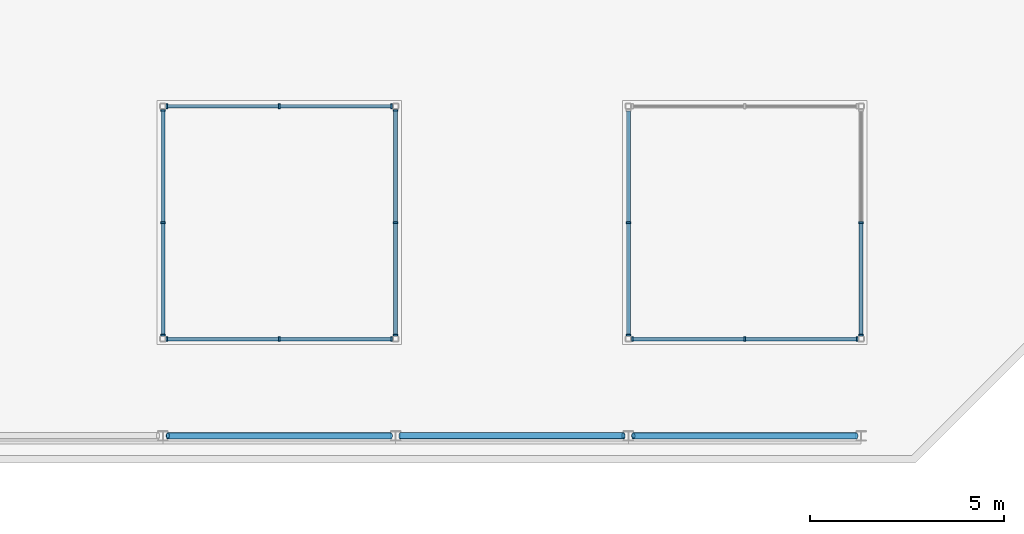
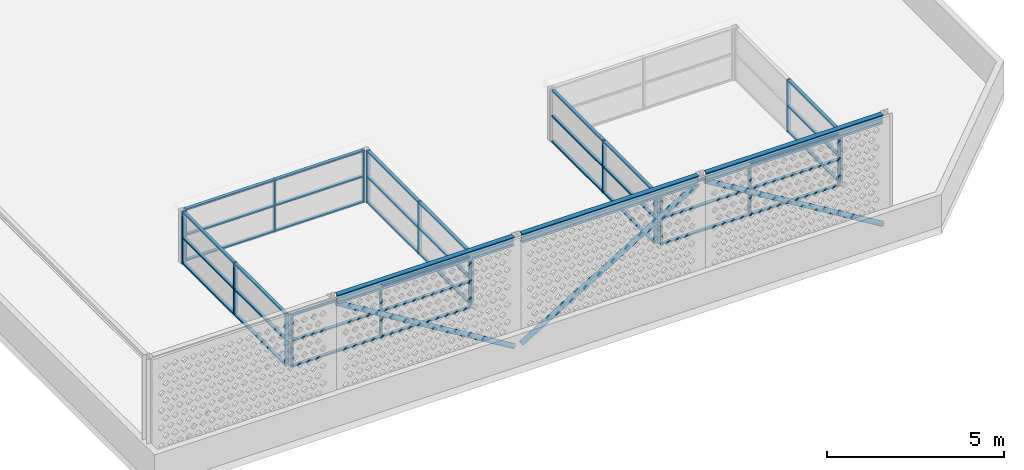
# One storey, part 5 of 18: 61 members, 3 beams, 7 elements without a shape of their own.
"""IFC4 building model written with IfcOpenShell, lengths in metres."""

from ifc_helpers import new_model, si_unit, direction, frame, origin, origin_2d, place, context, subcontext, project, spatial, rectangle, hollow_circle, i_section, extrude, source, transform, mapped, material, layer, layer_set, material_profile, profile_set, type_object, element, aggregate, save


model = new_model("IFC4")

# Units and contexts
model_context = context("Model", 3, precision=1e-05, world=origin(), true_north=direction((0.0, 1.0)))
body_context = subcontext(model_context, "Body", "Model", "MODEL_VIEW")
ifc_project = project(units=[si_unit("LENGTHUNIT", "METRE"), si_unit("AREAUNIT", "SQUARE_METRE"), si_unit("VOLUMEUNIT", "CUBIC_METRE"), si_unit("PLANEANGLEUNIT", "RADIAN"), si_unit("MASSUNIT", "GRAM", prefix="KILO")], contexts=[model_context])

# Site, building, storey
site_placement = place(None, origin())
site = spatial("IfcSite", under=ifc_project, at=site_placement, CompositionType="ELEMENT")
building_placement = place(site_placement, origin())
building = spatial("IfcBuilding", under=site, at=building_placement, Name="Poui Terraces", CompositionType="ELEMENT")
storey_placement = place(building_placement, frame((0.0, 0.0, 285.60009765625)))
storey = spatial("IfcBuildingStorey", under=building, at=storey_placement, Name="L79 CROWN", CompositionType="ELEMENT", Elevation=285.60009765625)

# Curtain wall, members
ifc_material_1 = material(Name="Clear glass", Category="glass")
ifc_layer = layer(ifc_material_1, 0.1201171875)
ifc_layer_set = layer_set([ifc_layer], Name="Clear glass")
curtain_wall_type = type_object("IfcCurtainWallType", Name="CURTAIN WALL CW-F LANTERN GLAZING", PredefinedType="NOTDEFINED", material=ifc_layer_set)
curtain_wall_1_placement = place(storey_placement, origin())
curtain_wall_1 = element("IfcCurtainWall", 1, at=curtain_wall_1_placement, inside=storey, type_object=curtain_wall_type, Name="CW-F LANTERN GLAZING", PredefinedType="NOTDEFINED")
ifc_material_2 = material(Name="Aluminium frame", Category="aluminium")
ifc_material_profile_1 = material_profile(ifc_material_2, rectangle(XDim=0.1201171875, YDim=0.050048828125, at=origin_2d()), Name="CW-F MULLION 50X120")
ifc_profile_set_1 = profile_set([ifc_material_profile_1], Name="Aluminium frame")
member_type_1 = type_object("IfcMemberType", Name="CW-F MULLION 50X120", PredefinedType="MULLION", material=ifc_profile_set_1)
member_1_placement = place(storey_placement, frame((60.10009765625, 3.0, 0.0), z_axis=(0.0, 0.0, 1.0), x_axis=(0.0, 1.0, 0.0)))
member_1 = element("IfcMember", 2, at=member_1_placement, type_object=member_type_1, Name="CW-F mullion 1", PredefinedType="MULLION", context=body_context, shape_type="SweptSolid", body=[
    extrude(rectangle(XDim=0.1201171875, YDim=0.050048828125, at=origin_2d()), origin(), (0.0, 0.0, 1.0), 1.7998046875),
])
member_2_placement = place(storey_placement, frame((63.0, 3.0, 0.0), z_axis=(0.0, 0.0, 1.0), x_axis=(0.0, 1.0, 0.0)))
member_2 = element("IfcMember", 3, at=member_2_placement, type_object=member_type_1, Name="CW-F mullion 2", PredefinedType="MULLION", context=body_context, shape_type="SweptSolid", body=[
    extrude(rectangle(XDim=0.1201171875, YDim=0.050048828125, at=origin_2d()), origin(), (0.0, 0.0, 1.0), 1.7998046875),
])
member_3_placement = place(storey_placement, frame((65.89990234375, 3.0, 0.0), z_axis=(0.0, 0.0, 1.0), x_axis=(0.0, 1.0, 0.0)))
member_3 = element("IfcMember", 4, at=member_3_placement, type_object=member_type_1, Name="CW-F mullion 3", PredefinedType="MULLION", context=body_context, shape_type="SweptSolid", body=[
    extrude(rectangle(XDim=0.1201171875, YDim=0.050048828125, at=origin_2d()), origin(), (0.0, 0.0, 1.0), 1.7998046875),
])

curtain_wall_2_placement = place(storey_placement, origin())
curtain_wall_2 = element("IfcCurtainWall", 5, at=curtain_wall_2_placement, inside=storey, type_object=curtain_wall_type, Name="CW-F LANTERN GLAZING", PredefinedType="NOTDEFINED")
member_4_placement = place(storey_placement, frame((65.89990234375, 9.0, 0.0), z_axis=(0.0, 0.0, 1.0), x_axis=(0.0, -1.0, 0.0)))
member_4 = element("IfcMember", 6, at=member_4_placement, type_object=member_type_1, Name="CW-F mullion 1", PredefinedType="MULLION", context=body_context, shape_type="SweptSolid", body=[
    extrude(rectangle(XDim=0.1201171875, YDim=0.050048828125, at=origin_2d()), origin(), (0.0, 0.0, 1.0), 1.7998046875),
])
member_5_placement = place(storey_placement, frame((63.0, 9.0, 0.0), z_axis=(0.0, 0.0, 1.0), x_axis=(0.0, -1.0, 0.0)))
member_5 = element("IfcMember", 7, at=member_5_placement, type_object=member_type_1, Name="CW-F mullion 2", PredefinedType="MULLION", context=body_context, shape_type="SweptSolid", body=[
    extrude(rectangle(XDim=0.1201171875, YDim=0.050048828125, at=origin_2d()), origin(), (0.0, 0.0, 1.0), 1.7998046875),
])
member_6_placement = place(storey_placement, frame((60.10009765625, 9.0, 0.0), z_axis=(0.0, 0.0, 1.0), x_axis=(0.0, -1.0, 0.0)))
member_6 = element("IfcMember", 8, at=member_6_placement, type_object=member_type_1, Name="CW-F mullion 3", PredefinedType="MULLION", context=body_context, shape_type="SweptSolid", body=[
    extrude(rectangle(XDim=0.1201171875, YDim=0.050048828125, at=origin_2d()), origin(), (0.0, 0.0, 1.0), 1.7998046875),
])

curtain_wall_3_placement = place(storey_placement, origin())
curtain_wall_3 = element("IfcCurtainWall", 9, at=curtain_wall_3_placement, inside=storey, type_object=curtain_wall_type, Name="CW-F LANTERN GLAZING", PredefinedType="NOTDEFINED")
member_7_placement = place(storey_placement, frame((66.0, 3.10009765625, 0.0), z_axis=(0.0, 0.0, 1.0), x_axis=(-1.0, 0.0, 0.0)))
member_7 = element("IfcMember", 10, at=member_7_placement, type_object=member_type_1, Name="CW-F mullion 1", PredefinedType="MULLION", context=body_context, shape_type="SweptSolid", body=[
    extrude(rectangle(XDim=0.1201171875, YDim=0.050048828125, at=origin_2d()), origin(), (0.0, 0.0, 1.0), 1.7998046875),
])
member_8_placement = place(storey_placement, frame((66.0, 6.0, 0.0), z_axis=(0.0, 0.0, 1.0), x_axis=(-1.0, 0.0, 0.0)))
member_8 = element("IfcMember", 11, at=member_8_placement, type_object=member_type_1, Name="CW-F mullion 2", PredefinedType="MULLION", context=body_context, shape_type="SweptSolid", body=[
    extrude(rectangle(XDim=0.1201171875, YDim=0.050048828125, at=origin_2d()), origin(), (0.0, 0.0, 1.0), 1.7998046875),
])
member_9_placement = place(storey_placement, frame((66.0, 8.89990234375, 0.0), z_axis=(0.0, 0.0, 1.0), x_axis=(-1.0, 0.0, 0.0)))
member_9 = element("IfcMember", 12, at=member_9_placement, type_object=member_type_1, Name="CW-F mullion 3", PredefinedType="MULLION", context=body_context, shape_type="SweptSolid", body=[
    extrude(rectangle(XDim=0.1201171875, YDim=0.050048828125, at=origin_2d()), origin(), (0.0, 0.0, 1.0), 1.7998046875),
])

curtain_wall_4_placement = place(storey_placement, origin())
curtain_wall_4 = element("IfcCurtainWall", 13, at=curtain_wall_4_placement, inside=storey, type_object=curtain_wall_type, Name="CW-F LANTERN GLAZING", PredefinedType="NOTDEFINED")
member_10_placement = place(storey_placement, frame((60.0, 8.89990234375, 0.0), z_axis=(0.0, 0.0, 1.0), x_axis=(1.0, 0.0, 0.0)))
member_10 = element("IfcMember", 14, at=member_10_placement, type_object=member_type_1, Name="CW-F mullion 1", PredefinedType="MULLION", context=body_context, shape_type="SweptSolid", body=[
    extrude(rectangle(XDim=0.1201171875, YDim=0.050048828125, at=origin_2d()), origin(), (0.0, 0.0, 1.0), 1.7998046875),
])
member_11_placement = place(storey_placement, frame((60.0, 6.0, 0.0), z_axis=(0.0, 0.0, 1.0), x_axis=(1.0, 0.0, 0.0)))
member_11 = element("IfcMember", 15, at=member_11_placement, type_object=member_type_1, Name="CW-F mullion 2", PredefinedType="MULLION", context=body_context, shape_type="SweptSolid", body=[
    extrude(rectangle(XDim=0.1201171875, YDim=0.050048828125, at=origin_2d()), origin(), (0.0, 0.0, 1.0), 1.7998046875),
])
member_12_placement = place(storey_placement, frame((60.0, 3.10009765625, 0.0), z_axis=(0.0, 0.0, 1.0), x_axis=(1.0, 0.0, 0.0)))
member_12 = element("IfcMember", 16, at=member_12_placement, type_object=member_type_1, Name="CW-F mullion 3", PredefinedType="MULLION", context=body_context, shape_type="SweptSolid", body=[
    extrude(rectangle(XDim=0.1201171875, YDim=0.050048828125, at=origin_2d()), origin(), (0.0, 0.0, 1.0), 1.7998046875),
])

curtain_wall_5_placement = place(storey_placement, origin())
curtain_wall_5 = element("IfcCurtainWall", 17, at=curtain_wall_5_placement, inside=storey, type_object=curtain_wall_type, Name="CW-F LANTERN GLAZING", PredefinedType="NOTDEFINED")
member_13_placement = place(storey_placement, frame((72.10009765625, 3.0, 0.0), z_axis=(0.0, 0.0, 1.0), x_axis=(0.0, 1.0, 0.0)))
member_13 = element("IfcMember", 18, at=member_13_placement, type_object=member_type_1, Name="CW-F mullion 1", PredefinedType="MULLION", context=body_context, shape_type="SweptSolid", body=[
    extrude(rectangle(XDim=0.1201171875, YDim=0.050048828125, at=origin_2d()), origin(), (0.0, 0.0, 1.0), 1.7998046875),
])
member_14_placement = place(storey_placement, frame((75.0, 3.0, 0.0), z_axis=(0.0, 0.0, 1.0), x_axis=(0.0, 1.0, 0.0)))
member_14 = element("IfcMember", 19, at=member_14_placement, type_object=member_type_1, Name="CW-F mullion 2", PredefinedType="MULLION", context=body_context, shape_type="SweptSolid", body=[
    extrude(rectangle(XDim=0.1201171875, YDim=0.050048828125, at=origin_2d()), origin(), (0.0, 0.0, 1.0), 1.7998046875),
])
member_15_placement = place(storey_placement, frame((77.89990234375, 3.0, 0.0), z_axis=(0.0, 0.0, 1.0), x_axis=(0.0, 1.0, 0.0)))
member_15 = element("IfcMember", 20, at=member_15_placement, type_object=member_type_1, Name="CW-F mullion 3", PredefinedType="MULLION", context=body_context, shape_type="SweptSolid", body=[
    extrude(rectangle(XDim=0.1201171875, YDim=0.050048828125, at=origin_2d()), origin(), (0.0, 0.0, 1.0), 1.7998046875),
])

curtain_wall_6_placement = place(storey_placement, origin())
curtain_wall_6 = element("IfcCurtainWall", 21, at=curtain_wall_6_placement, inside=storey, type_object=curtain_wall_type, Name="CW-F LANTERN GLAZING", PredefinedType="NOTDEFINED")
member_16_placement = place(storey_placement, frame((78.0, 3.10009765625, 0.0), z_axis=(0.0, 0.0, 1.0), x_axis=(-1.0, 0.0, 0.0)))
member_16 = element("IfcMember", 22, at=member_16_placement, type_object=member_type_1, Name="CW-F mullion 1", PredefinedType="MULLION", context=body_context, shape_type="SweptSolid", body=[
    extrude(rectangle(XDim=0.1201171875, YDim=0.050048828125, at=origin_2d()), origin(), (0.0, 0.0, 1.0), 1.7998046875),
])
member_17_placement = place(storey_placement, frame((78.0, 6.0, 0.0), z_axis=(0.0, 0.0, 1.0), x_axis=(-1.0, 0.0, 0.0)))
member_17 = element("IfcMember", 23, at=member_17_placement, type_object=member_type_1, Name="CW-F mullion 2", PredefinedType="MULLION", context=body_context, shape_type="SweptSolid", body=[
    extrude(rectangle(XDim=0.1201171875, YDim=0.050048828125, at=origin_2d()), origin(), (0.0, 0.0, 1.0), 1.7998046875),
])

curtain_wall_7_placement = place(storey_placement, origin())
curtain_wall_7 = element("IfcCurtainWall", 24, at=curtain_wall_7_placement, inside=storey, type_object=curtain_wall_type, Name="CW-F LANTERN GLAZING", PredefinedType="NOTDEFINED")
member_18_placement = place(storey_placement, frame((72.0, 6.0, 0.0), z_axis=(0.0, 0.0, 1.0), x_axis=(1.0, 0.0, 0.0)))
member_18 = element("IfcMember", 25, at=member_18_placement, type_object=member_type_1, Name="CW-F mullion 2", PredefinedType="MULLION", context=body_context, shape_type="SweptSolid", body=[
    extrude(rectangle(XDim=0.1201171875, YDim=0.050048828125, at=origin_2d()), origin(), (0.0, 0.0, 1.0), 1.7998046875),
])
member_19_placement = place(storey_placement, frame((72.0, 3.10009765625, 0.0), z_axis=(0.0, 0.0, 1.0), x_axis=(1.0, 0.0, 0.0)))
member_19 = element("IfcMember", 26, at=member_19_placement, type_object=member_type_1, Name="CW-F mullion 3", PredefinedType="MULLION", context=body_context, shape_type="SweptSolid", body=[
    extrude(rectangle(XDim=0.1201171875, YDim=0.050048828125, at=origin_2d()), origin(), (0.0, 0.0, 1.0), 1.7998046875),
])

# Member
ifc_material_profile_2 = material_profile(ifc_material_2, rectangle(XDim=0.10009765625, YDim=0.050048828125, at=origin_2d()), Name="CW-F TRANSOM 50X100")
ifc_profile_set_2 = profile_set([ifc_material_profile_2], Name="Aluminium frame")
member_type_2 = type_object("IfcMemberType", Name="CW-F TRANSOM 50X100", PredefinedType="USERDEFINED", material=ifc_profile_set_2)
member_20_placement = place(storey_placement, frame((60.125, 3.0, 0.02490234375), z_axis=(1.0, 0.0, 0.0), x_axis=(0.0, 1.0, 0.0)))
member_20 = element("IfcMember", 27, at=member_20_placement, type_object=member_type_2, Name="CW-F transom 1.1", ObjectType="TRANSOM", PredefinedType="USERDEFINED", context=body_context, shape_type="SweptSolid", body=[
    extrude(rectangle(XDim=0.10009765625, YDim=0.050048828125, at=origin_2d()), origin(), (0.0, 0.0, 1.0), 2.85009765625),
])

member_21_placement = place(storey_placement, frame((60.125, 3.0, 0.89990234375), z_axis=(1.0, 0.0, 0.0), x_axis=(0.0, 1.0, 0.0)))
member_21 = element("IfcMember", 28, at=member_21_placement, type_object=member_type_2, Name="CW-F transom 1.2", ObjectType="TRANSOM", PredefinedType="USERDEFINED", context=body_context, shape_type="SweptSolid", body=[
    extrude(rectangle(XDim=0.10009765625, YDim=0.050048828125, at=origin_2d()), origin(), (0.0, 0.0, 1.0), 2.85009765625),
])

member_22_placement = place(storey_placement, frame((60.125, 3.0, 1.77490234375), z_axis=(1.0, 0.0, 0.0), x_axis=(0.0, 1.0, 0.0)))
member_22 = element("IfcMember", 29, at=member_22_placement, type_object=member_type_2, Name="CW-F transom 1.3", ObjectType="TRANSOM", PredefinedType="USERDEFINED", context=body_context, shape_type="SweptSolid", body=[
    extrude(rectangle(XDim=0.10009765625, YDim=0.050048828125, at=origin_2d()), origin(), (0.0, 0.0, 1.0), 2.85009765625),
])

member_23_placement = place(storey_placement, frame((63.02490234375, 3.0, 0.02490234375), z_axis=(1.0, 0.0, 0.0), x_axis=(0.0, 1.0, 0.0)))
member_23 = element("IfcMember", 30, at=member_23_placement, type_object=member_type_2, Name="CW-F transom 2.1", ObjectType="TRANSOM", PredefinedType="USERDEFINED", context=body_context, shape_type="SweptSolid", body=[
    extrude(rectangle(XDim=0.10009765625, YDim=0.050048828125, at=origin_2d()), origin(), (0.0, 0.0, 1.0), 2.85009765625),
])

member_24_placement = place(storey_placement, frame((63.02490234375, 3.0, 0.89990234375), z_axis=(1.0, 0.0, 0.0), x_axis=(0.0, 1.0, 0.0)))
member_24 = element("IfcMember", 31, at=member_24_placement, type_object=member_type_2, Name="CW-F transom 2.2", ObjectType="TRANSOM", PredefinedType="USERDEFINED", context=body_context, shape_type="SweptSolid", body=[
    extrude(rectangle(XDim=0.10009765625, YDim=0.050048828125, at=origin_2d()), origin(), (0.0, 0.0, 1.0), 2.85009765625),
])

member_25_placement = place(storey_placement, frame((63.02490234375, 3.0, 1.77490234375), z_axis=(1.0, 0.0, 0.0), x_axis=(0.0, 1.0, 0.0)))
member_25 = element("IfcMember", 32, at=member_25_placement, type_object=member_type_2, Name="CW-F transom 2.3", ObjectType="TRANSOM", PredefinedType="USERDEFINED", context=body_context, shape_type="SweptSolid", body=[
    extrude(rectangle(XDim=0.10009765625, YDim=0.050048828125, at=origin_2d()), origin(), (0.0, 0.0, 1.0), 2.85009765625),
])

aggregate(curtain_wall_1, [member_1, member_2, member_3, member_20, member_21, member_22, member_23, member_24, member_25])

member_26_placement = place(storey_placement, frame((65.875, 9.0, 0.02490234375), z_axis=(-1.0, 0.0, 0.0), x_axis=(0.0, -1.0, 0.0)))
member_26 = element("IfcMember", 33, at=member_26_placement, type_object=member_type_2, Name="CW-F transom 1.1", ObjectType="TRANSOM", PredefinedType="USERDEFINED", context=body_context, shape_type="SweptSolid", body=[
    extrude(rectangle(XDim=0.10009765625, YDim=0.050048828125, at=origin_2d()), origin(), (0.0, 0.0, 1.0), 2.85009765625),
])

member_27_placement = place(storey_placement, frame((65.875, 9.0, 0.89990234375), z_axis=(-1.0, 0.0, 0.0), x_axis=(0.0, -1.0, 0.0)))
member_27 = element("IfcMember", 34, at=member_27_placement, type_object=member_type_2, Name="CW-F transom 1.2", ObjectType="TRANSOM", PredefinedType="USERDEFINED", context=body_context, shape_type="SweptSolid", body=[
    extrude(rectangle(XDim=0.10009765625, YDim=0.050048828125, at=origin_2d()), origin(), (0.0, 0.0, 1.0), 2.85009765625),
])

member_28_placement = place(storey_placement, frame((65.875, 9.0, 1.77490234375), z_axis=(-1.0, 0.0, 0.0), x_axis=(0.0, -1.0, 0.0)))
member_28 = element("IfcMember", 35, at=member_28_placement, type_object=member_type_2, Name="CW-F transom 1.3", ObjectType="TRANSOM", PredefinedType="USERDEFINED", context=body_context, shape_type="SweptSolid", body=[
    extrude(rectangle(XDim=0.10009765625, YDim=0.050048828125, at=origin_2d()), origin(), (0.0, 0.0, 1.0), 2.85009765625),
])

member_29_placement = place(storey_placement, frame((62.97509765625, 9.0, 0.02490234375), z_axis=(-1.0, 0.0, 0.0), x_axis=(0.0, -1.0, 0.0)))
member_29 = element("IfcMember", 36, at=member_29_placement, type_object=member_type_2, Name="CW-F transom 2.1", ObjectType="TRANSOM", PredefinedType="USERDEFINED", context=body_context, shape_type="SweptSolid", body=[
    extrude(rectangle(XDim=0.10009765625, YDim=0.050048828125, at=origin_2d()), origin(), (0.0, 0.0, 1.0), 2.85009765625),
])

member_30_placement = place(storey_placement, frame((62.97509765625, 9.0, 0.89990234375), z_axis=(-1.0, 0.0, 0.0), x_axis=(0.0, -1.0, 0.0)))
member_30 = element("IfcMember", 37, at=member_30_placement, type_object=member_type_2, Name="CW-F transom 2.2", ObjectType="TRANSOM", PredefinedType="USERDEFINED", context=body_context, shape_type="SweptSolid", body=[
    extrude(rectangle(XDim=0.10009765625, YDim=0.050048828125, at=origin_2d()), origin(), (0.0, 0.0, 1.0), 2.85009765625),
])

member_31_placement = place(storey_placement, frame((62.97509765625, 9.0, 1.77490234375), z_axis=(-1.0, 0.0, 0.0), x_axis=(0.0, -1.0, 0.0)))
member_31 = element("IfcMember", 38, at=member_31_placement, type_object=member_type_2, Name="CW-F transom 2.3", ObjectType="TRANSOM", PredefinedType="USERDEFINED", context=body_context, shape_type="SweptSolid", body=[
    extrude(rectangle(XDim=0.10009765625, YDim=0.050048828125, at=origin_2d()), origin(), (0.0, 0.0, 1.0), 2.85009765625),
])

aggregate(curtain_wall_2, [member_4, member_5, member_6, member_26, member_27, member_28, member_29, member_30, member_31])

member_32_placement = place(storey_placement, frame((66.0, 3.125, 0.02490234375), z_axis=(0.0, 1.0, 0.0), x_axis=(-1.0, 0.0, 0.0)))
member_32 = element("IfcMember", 39, at=member_32_placement, type_object=member_type_2, Name="CW-F transom 1.1", ObjectType="TRANSOM", PredefinedType="USERDEFINED", context=body_context, shape_type="SweptSolid", body=[
    extrude(rectangle(XDim=0.10009765625, YDim=0.050048828125, at=origin_2d()), origin(), (0.0, 0.0, 1.0), 2.85009765625),
])

member_33_placement = place(storey_placement, frame((66.0, 3.125, 0.89990234375), z_axis=(0.0, 1.0, 0.0), x_axis=(-1.0, 0.0, 0.0)))
member_33 = element("IfcMember", 40, at=member_33_placement, type_object=member_type_2, Name="CW-F transom 1.2", ObjectType="TRANSOM", PredefinedType="USERDEFINED", context=body_context, shape_type="SweptSolid", body=[
    extrude(rectangle(XDim=0.10009765625, YDim=0.050048828125, at=origin_2d()), origin(), (0.0, 0.0, 1.0), 2.85009765625),
])

member_34_placement = place(storey_placement, frame((66.0, 3.125, 1.77490234375), z_axis=(0.0, 1.0, 0.0), x_axis=(-1.0, 0.0, 0.0)))
member_34 = element("IfcMember", 41, at=member_34_placement, type_object=member_type_2, Name="CW-F transom 1.3", ObjectType="TRANSOM", PredefinedType="USERDEFINED", context=body_context, shape_type="SweptSolid", body=[
    extrude(rectangle(XDim=0.10009765625, YDim=0.050048828125, at=origin_2d()), origin(), (0.0, 0.0, 1.0), 2.85009765625),
])

member_35_placement = place(storey_placement, frame((66.0, 6.02490234375, 0.02490234375), z_axis=(0.0, 1.0, 0.0), x_axis=(-1.0, 0.0, 0.0)))
member_35 = element("IfcMember", 42, at=member_35_placement, type_object=member_type_2, Name="CW-F transom 2.1", ObjectType="TRANSOM", PredefinedType="USERDEFINED", context=body_context, shape_type="SweptSolid", body=[
    extrude(rectangle(XDim=0.10009765625, YDim=0.050048828125, at=origin_2d()), origin(), (0.0, 0.0, 1.0), 2.85009765625),
])

member_36_placement = place(storey_placement, frame((66.0, 6.02490234375, 0.89990234375), z_axis=(0.0, 1.0, 0.0), x_axis=(-1.0, 0.0, 0.0)))
member_36 = element("IfcMember", 43, at=member_36_placement, type_object=member_type_2, Name="CW-F transom 2.2", ObjectType="TRANSOM", PredefinedType="USERDEFINED", context=body_context, shape_type="SweptSolid", body=[
    extrude(rectangle(XDim=0.10009765625, YDim=0.050048828125, at=origin_2d()), origin(), (0.0, 0.0, 1.0), 2.85009765625),
])

member_37_placement = place(storey_placement, frame((66.0, 6.02490234375, 1.77490234375), z_axis=(0.0, 1.0, 0.0), x_axis=(-1.0, 0.0, 0.0)))
member_37 = element("IfcMember", 44, at=member_37_placement, type_object=member_type_2, Name="CW-F transom 2.3", ObjectType="TRANSOM", PredefinedType="USERDEFINED", context=body_context, shape_type="SweptSolid", body=[
    extrude(rectangle(XDim=0.10009765625, YDim=0.050048828125, at=origin_2d()), origin(), (0.0, 0.0, 1.0), 2.85009765625),
])

aggregate(curtain_wall_3, [member_7, member_8, member_9, member_32, member_33, member_34, member_35, member_36, member_37])

member_38_placement = place(storey_placement, frame((60.0, 8.875, 0.02490234375), z_axis=(0.0, -1.0, 0.0), x_axis=(1.0, 0.0, 0.0)))
member_38 = element("IfcMember", 45, at=member_38_placement, type_object=member_type_2, Name="CW-F transom 1.1", ObjectType="TRANSOM", PredefinedType="USERDEFINED", context=body_context, shape_type="SweptSolid", body=[
    extrude(rectangle(XDim=0.10009765625, YDim=0.050048828125, at=origin_2d()), origin(), (0.0, 0.0, 1.0), 2.85009765625),
])

member_39_placement = place(storey_placement, frame((60.0, 8.875, 0.89990234375), z_axis=(0.0, -1.0, 0.0), x_axis=(1.0, 0.0, 0.0)))
member_39 = element("IfcMember", 46, at=member_39_placement, type_object=member_type_2, Name="CW-F transom 1.2", ObjectType="TRANSOM", PredefinedType="USERDEFINED", context=body_context, shape_type="SweptSolid", body=[
    extrude(rectangle(XDim=0.10009765625, YDim=0.050048828125, at=origin_2d()), origin(), (0.0, 0.0, 1.0), 2.85009765625),
])

member_40_placement = place(storey_placement, frame((60.0, 8.875, 1.77490234375), z_axis=(0.0, -1.0, 0.0), x_axis=(1.0, 0.0, 0.0)))
member_40 = element("IfcMember", 47, at=member_40_placement, type_object=member_type_2, Name="CW-F transom 1.3", ObjectType="TRANSOM", PredefinedType="USERDEFINED", context=body_context, shape_type="SweptSolid", body=[
    extrude(rectangle(XDim=0.10009765625, YDim=0.050048828125, at=origin_2d()), origin(), (0.0, 0.0, 1.0), 2.85009765625),
])

member_41_placement = place(storey_placement, frame((60.0, 5.97509765625, 0.02490234375), z_axis=(0.0, -1.0, 0.0), x_axis=(1.0, 0.0, 0.0)))
member_41 = element("IfcMember", 48, at=member_41_placement, type_object=member_type_2, Name="CW-F transom 2.1", ObjectType="TRANSOM", PredefinedType="USERDEFINED", context=body_context, shape_type="SweptSolid", body=[
    extrude(rectangle(XDim=0.10009765625, YDim=0.050048828125, at=origin_2d()), origin(), (0.0, 0.0, 1.0), 2.85009765625),
])

member_42_placement = place(storey_placement, frame((60.0, 5.97509765625, 0.89990234375), z_axis=(0.0, -1.0, 0.0), x_axis=(1.0, 0.0, 0.0)))
member_42 = element("IfcMember", 49, at=member_42_placement, type_object=member_type_2, Name="CW-F transom 2.2", ObjectType="TRANSOM", PredefinedType="USERDEFINED", context=body_context, shape_type="SweptSolid", body=[
    extrude(rectangle(XDim=0.10009765625, YDim=0.050048828125, at=origin_2d()), origin(), (0.0, 0.0, 1.0), 2.85009765625),
])

member_43_placement = place(storey_placement, frame((60.0, 5.97509765625, 1.77490234375), z_axis=(0.0, -1.0, 0.0), x_axis=(1.0, 0.0, 0.0)))
member_43 = element("IfcMember", 50, at=member_43_placement, type_object=member_type_2, Name="CW-F transom 2.3", ObjectType="TRANSOM", PredefinedType="USERDEFINED", context=body_context, shape_type="SweptSolid", body=[
    extrude(rectangle(XDim=0.10009765625, YDim=0.050048828125, at=origin_2d()), origin(), (0.0, 0.0, 1.0), 2.85009765625),
])

aggregate(curtain_wall_4, [member_10, member_11, member_12, member_38, member_39, member_40, member_41, member_42, member_43])

member_44_placement = place(storey_placement, frame((72.125, 3.0, 0.02490234375), z_axis=(1.0, 0.0, 0.0), x_axis=(0.0, 1.0, 0.0)))
member_44 = element("IfcMember", 51, at=member_44_placement, type_object=member_type_2, Name="CW-F transom 1.1", ObjectType="TRANSOM", PredefinedType="USERDEFINED", context=body_context, shape_type="SweptSolid", body=[
    extrude(rectangle(XDim=0.10009765625, YDim=0.050048828125, at=origin_2d()), origin(), (0.0, 0.0, 1.0), 2.85009765625),
])

member_45_placement = place(storey_placement, frame((72.125, 3.0, 0.89990234375), z_axis=(1.0, 0.0, 0.0), x_axis=(0.0, 1.0, 0.0)))
member_45 = element("IfcMember", 52, at=member_45_placement, type_object=member_type_2, Name="CW-F transom 1.2", ObjectType="TRANSOM", PredefinedType="USERDEFINED", context=body_context, shape_type="SweptSolid", body=[
    extrude(rectangle(XDim=0.10009765625, YDim=0.050048828125, at=origin_2d()), origin(), (0.0, 0.0, 1.0), 2.85009765625),
])

member_46_placement = place(storey_placement, frame((72.125, 3.0, 1.77490234375), z_axis=(1.0, 0.0, 0.0), x_axis=(0.0, 1.0, 0.0)))
member_46 = element("IfcMember", 53, at=member_46_placement, type_object=member_type_2, Name="CW-F transom 1.3", ObjectType="TRANSOM", PredefinedType="USERDEFINED", context=body_context, shape_type="SweptSolid", body=[
    extrude(rectangle(XDim=0.10009765625, YDim=0.050048828125, at=origin_2d()), origin(), (0.0, 0.0, 1.0), 2.85009765625),
])

member_47_placement = place(storey_placement, frame((75.02490234375, 3.0, 0.02490234375), z_axis=(1.0, 0.0, 0.0), x_axis=(0.0, 1.0, 0.0)))
member_47 = element("IfcMember", 54, at=member_47_placement, type_object=member_type_2, Name="CW-F transom 2.1", ObjectType="TRANSOM", PredefinedType="USERDEFINED", context=body_context, shape_type="SweptSolid", body=[
    extrude(rectangle(XDim=0.10009765625, YDim=0.050048828125, at=origin_2d()), origin(), (0.0, 0.0, 1.0), 2.85009765625),
])

member_48_placement = place(storey_placement, frame((75.02490234375, 3.0, 0.89990234375), z_axis=(1.0, 0.0, 0.0), x_axis=(0.0, 1.0, 0.0)))
member_48 = element("IfcMember", 55, at=member_48_placement, type_object=member_type_2, Name="CW-F transom 2.2", ObjectType="TRANSOM", PredefinedType="USERDEFINED", context=body_context, shape_type="SweptSolid", body=[
    extrude(rectangle(XDim=0.10009765625, YDim=0.050048828125, at=origin_2d()), origin(), (0.0, 0.0, 1.0), 2.85009765625),
])

member_49_placement = place(storey_placement, frame((75.02490234375, 3.0, 1.77490234375), z_axis=(1.0, 0.0, 0.0), x_axis=(0.0, 1.0, 0.0)))
member_49 = element("IfcMember", 56, at=member_49_placement, type_object=member_type_2, Name="CW-F transom 2.3", ObjectType="TRANSOM", PredefinedType="USERDEFINED", context=body_context, shape_type="SweptSolid", body=[
    extrude(rectangle(XDim=0.10009765625, YDim=0.050048828125, at=origin_2d()), origin(), (0.0, 0.0, 1.0), 2.85009765625),
])

aggregate(curtain_wall_5, [member_13, member_14, member_15, member_44, member_45, member_46, member_47, member_48, member_49])

member_50_placement = place(storey_placement, frame((78.0, 3.125, 0.02490234375), z_axis=(0.0, 1.0, 0.0), x_axis=(-1.0, 0.0, 0.0)))
member_50 = element("IfcMember", 57, at=member_50_placement, type_object=member_type_2, Name="CW-F transom 1.1", ObjectType="TRANSOM", PredefinedType="USERDEFINED", context=body_context, shape_type="SweptSolid", body=[
    extrude(rectangle(XDim=0.10009765625, YDim=0.050048828125, at=origin_2d()), origin(), (0.0, 0.0, 1.0), 2.85009765625),
])

member_51_placement = place(storey_placement, frame((78.0, 3.125, 0.89990234375), z_axis=(0.0, 1.0, 0.0), x_axis=(-1.0, 0.0, 0.0)))
member_51 = element("IfcMember", 58, at=member_51_placement, type_object=member_type_2, Name="CW-F transom 1.2", ObjectType="TRANSOM", PredefinedType="USERDEFINED", context=body_context, shape_type="SweptSolid", body=[
    extrude(rectangle(XDim=0.10009765625, YDim=0.050048828125, at=origin_2d()), origin(), (0.0, 0.0, 1.0), 2.85009765625),
])

member_52_placement = place(storey_placement, frame((78.0, 3.125, 1.77490234375), z_axis=(0.0, 1.0, 0.0), x_axis=(-1.0, 0.0, 0.0)))
member_52 = element("IfcMember", 59, at=member_52_placement, type_object=member_type_2, Name="CW-F transom 1.3", ObjectType="TRANSOM", PredefinedType="USERDEFINED", context=body_context, shape_type="SweptSolid", body=[
    extrude(rectangle(XDim=0.10009765625, YDim=0.050048828125, at=origin_2d()), origin(), (0.0, 0.0, 1.0), 2.85009765625),
])

aggregate(curtain_wall_6, [member_16, member_17, member_50, member_51, member_52])

member_53_placement = place(storey_placement, frame((72.0, 8.875, 0.02490234375), z_axis=(0.0, -1.0, 0.0), x_axis=(1.0, 0.0, 0.0)))
member_53 = element("IfcMember", 60, at=member_53_placement, type_object=member_type_2, Name="CW-F transom 1.1", ObjectType="TRANSOM", PredefinedType="USERDEFINED", context=body_context, shape_type="SweptSolid", body=[
    extrude(rectangle(XDim=0.10009765625, YDim=0.050048828125, at=origin_2d()), origin(), (0.0, 0.0, 1.0), 2.85009765625),
])

member_54_placement = place(storey_placement, frame((72.0, 8.875, 0.89990234375), z_axis=(0.0, -1.0, 0.0), x_axis=(1.0, 0.0, 0.0)))
member_54 = element("IfcMember", 61, at=member_54_placement, type_object=member_type_2, Name="CW-F transom 1.2", ObjectType="TRANSOM", PredefinedType="USERDEFINED", context=body_context, shape_type="SweptSolid", body=[
    extrude(rectangle(XDim=0.10009765625, YDim=0.050048828125, at=origin_2d()), origin(), (0.0, 0.0, 1.0), 2.85009765625),
])

member_55_placement = place(storey_placement, frame((72.0, 8.875, 1.77490234375), z_axis=(0.0, -1.0, 0.0), x_axis=(1.0, 0.0, 0.0)))
member_55 = element("IfcMember", 62, at=member_55_placement, type_object=member_type_2, Name="CW-F transom 1.3", ObjectType="TRANSOM", PredefinedType="USERDEFINED", context=body_context, shape_type="SweptSolid", body=[
    extrude(rectangle(XDim=0.10009765625, YDim=0.050048828125, at=origin_2d()), origin(), (0.0, 0.0, 1.0), 2.85009765625),
])

member_56_placement = place(storey_placement, frame((72.0, 5.97509765625, 0.02490234375), z_axis=(0.0, -1.0, 0.0), x_axis=(1.0, 0.0, 0.0)))
member_56 = element("IfcMember", 63, at=member_56_placement, type_object=member_type_2, Name="CW-F transom 2.1", ObjectType="TRANSOM", PredefinedType="USERDEFINED", context=body_context, shape_type="SweptSolid", body=[
    extrude(rectangle(XDim=0.10009765625, YDim=0.050048828125, at=origin_2d()), origin(), (0.0, 0.0, 1.0), 2.85009765625),
])

member_57_placement = place(storey_placement, frame((72.0, 5.97509765625, 0.89990234375), z_axis=(0.0, -1.0, 0.0), x_axis=(1.0, 0.0, 0.0)))
member_57 = element("IfcMember", 64, at=member_57_placement, type_object=member_type_2, Name="CW-F transom 2.2", ObjectType="TRANSOM", PredefinedType="USERDEFINED", context=body_context, shape_type="SweptSolid", body=[
    extrude(rectangle(XDim=0.10009765625, YDim=0.050048828125, at=origin_2d()), origin(), (0.0, 0.0, 1.0), 2.85009765625),
])

member_58_placement = place(storey_placement, frame((72.0, 5.97509765625, 1.77490234375), z_axis=(0.0, -1.0, 0.0), x_axis=(1.0, 0.0, 0.0)))
member_58 = element("IfcMember", 65, at=member_58_placement, type_object=member_type_2, Name="CW-F transom 2.3", ObjectType="TRANSOM", PredefinedType="USERDEFINED", context=body_context, shape_type="SweptSolid", body=[
    extrude(rectangle(XDim=0.10009765625, YDim=0.050048828125, at=origin_2d()), origin(), (0.0, 0.0, 1.0), 2.85009765625),
])

aggregate(curtain_wall_7, [member_18, member_19, member_53, member_54, member_55, member_56, member_57, member_58])

# Members
ifc_material_3 = material(Name="Steel Grade 350 MPa", Category="steel")
ifc_material_profile_3 = material_profile(ifc_material_3, hollow_circle(Radius=0.084228515625, WallThickness=0.007080078125, at=origin_2d()), Name="168.3x7.1 CHS")
ifc_profile_set_3 = profile_set([ifc_material_profile_3], Name="Steel Grade 350 MPa")
member_type_3 = type_object("IfcMemberType", Name="SCREEN FRAME BRACE 168.3x7.1 CHS", PredefinedType="BRACE", material=ifc_profile_set_3)
for number, where, z_axis, x_axis, name in (
    (66, (65.873046875, 0.5, 0.199951171875), (-0.854525101258, 0.0, 0.519410099363), (0.0, -1.0, 0.0), "SCREEN FRAME BRACE S2"),
    (67, (66.126953125, 0.5, 0.199951171875), (0.854525101258, 0.0, 0.519410099363), (0.0, 1.0, 0.0), "SCREEN FRAME BRACE S3"),
    (68, (77.873046875, 0.5, 0.199951171875), (-0.854525101258, 0.0, 0.519410099363), (0.0, -1.0, 0.0), "SCREEN FRAME BRACE S4"),
):
    element("IfcMember", number, at=place(storey_placement, frame(where, z_axis=z_axis, x_axis=x_axis)), inside=storey, type_object=member_type_3, Name=name, PredefinedType="BRACE", context=body_context, shape_type="SweptSolid", body=[
        extrude(hollow_circle(Radius=0.084228515625, WallThickness=0.007080078125, at=origin_2d()), origin(), (0.0, 0.0, 1.0), 6.724365234375),
    ])

# Beams
ifc_material_4 = material(Name="Steel Grade 300 MPa", Category="steel")
ifc_material_profile_4 = material_profile(ifc_material_4, i_section(OverallWidth=0.166015625, OverallDepth=0.30712890625, WebThickness=0.006591796875, FlangeThickness=0.01171875, FilletRadius=0.011474609375, at=origin_2d()), Name="310UB46.2")
ifc_profile_set_4 = profile_set([ifc_material_profile_4], Name="Steel Grade 300 MPa")
beam_type = type_object("IfcBeamType", Name="SCREEN FRAME EDGE BEAM 310UB46.2", PredefinedType="BEAM", material=ifc_profile_set_4)
shared_shape = source(origin(), body_context, "Body", "SweptSolid", [
    extrude(i_section(OverallWidth=0.166015625, OverallDepth=0.30712890625, WebThickness=0.006591796875, FlangeThickness=0.01171875, FilletRadius=0.011474609375, at=origin_2d()), origin(), (0.0, 0.0, 1.0), 5.74609375),
])
for number, where, z_axis, x_axis, name in (
    (69, (60.126953125, 0.5, 3.84619140625), (1.0, 0.0, 0.0), (0.0, 1.0, 0.0), "SCREEN FRAME EDGE BEAM S2"),
    (70, (66.126953125, 0.5, 3.84619140625), (1.0, 0.0, 0.0), (0.0, 1.0, 0.0), "SCREEN FRAME EDGE BEAM S3"),
    (71, (72.126953125, 0.5, 3.84619140625), (1.0, 0.0, 0.0), (0.0, 1.0, 0.0), "SCREEN FRAME EDGE BEAM S4"),
):
    element("IfcBeam", number, at=place(storey_placement, frame(where, z_axis=z_axis, x_axis=x_axis)), inside=storey, type_object=beam_type, Name=name, PredefinedType="BEAM", context=body_context, shape_type="MappedRepresentation", body=[
        mapped(shared_shape, transform((0.0, 0.0, 0.0))),
    ])

save(model, "model.ifc")
